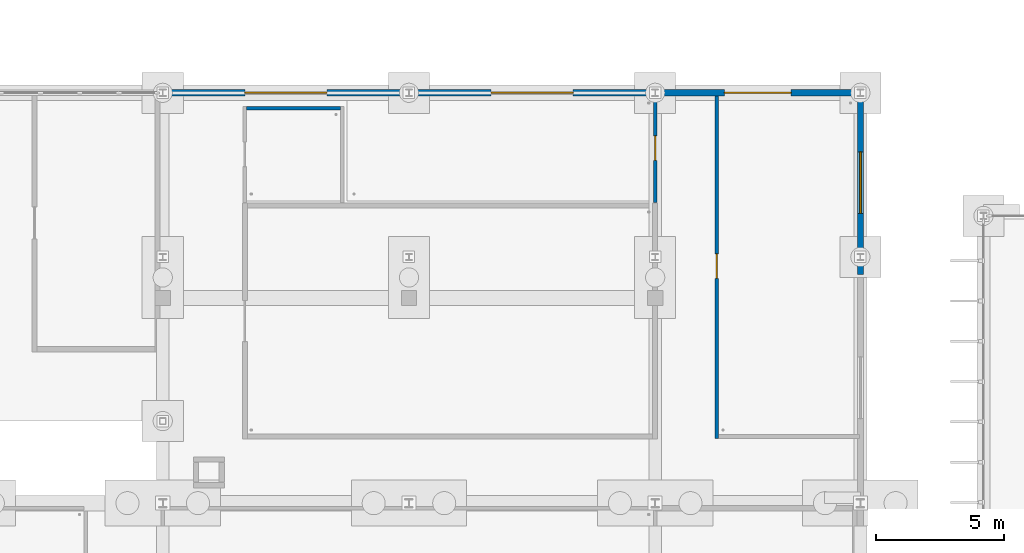
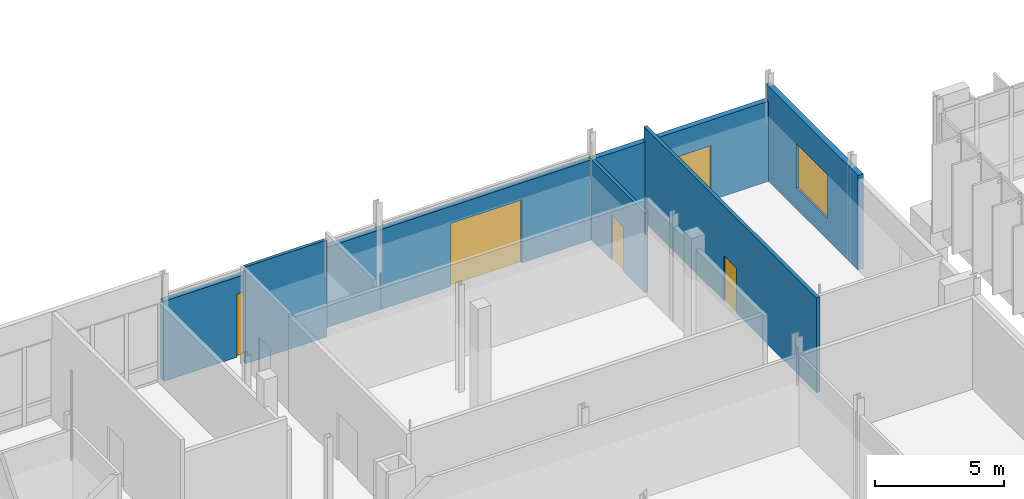
# One storey, part 63 of 111: 7 walls, 5 doors, 1 window, 6 openings.
"""IFC4 building model written with IfcOpenShell, lengths in metres."""

from ifc_helpers import new_model, si_unit, direction, frame, frame_2d, origin, place, context, subcontext, project, spatial, rectangle, extrude, material, layer, layer_set, type_object, element, fill, save


model = new_model("IFC4")

# Units and contexts
model_context = context("Model", 3, precision=1e-05, world=origin(), true_north=direction((0.0, 1.0)))
body_context = subcontext(model_context, "Body", "Model", "MODEL_VIEW")
ifc_project = project(units=[si_unit("LENGTHUNIT", "METRE"), si_unit("AREAUNIT", "SQUARE_METRE"), si_unit("VOLUMEUNIT", "CUBIC_METRE"), si_unit("PLANEANGLEUNIT", "RADIAN"), si_unit("MASSUNIT", "GRAM", prefix="KILO")], contexts=[model_context])

# Site, building, storey
site_placement = place(None, origin())
site = spatial("IfcSite", under=ifc_project, at=site_placement, CompositionType="ELEMENT")
building_placement = place(site_placement, origin())
building = spatial("IfcBuilding", under=site, at=building_placement, Name="Dunescarp Central Library", CompositionType="ELEMENT")
storey_placement = place(building_placement, origin())
storey = spatial("IfcBuildingStorey", under=building, at=storey_placement, Name="L00", CompositionType="ELEMENT", Elevation=0.0)

# Wall, opening, door
ifc_material_1 = material(Name="Gypsum plasterboard acoustic partition")
ifc_layer_1 = layer(ifc_material_1, 0.14990234375)
ifc_layer_set_1 = layer_set([ifc_layer_1], Name="Gypsum plasterboard acoustic partition")
wall_type_1 = type_object("IfcWallType", Name="ARC-PT-AC150", PredefinedType="PARTITIONING", material=ifc_layer_set_1)
wall_1_placement = place(storey_placement, frame((116.800048828125, 45.324951171875, 0.0), z_axis=(0.0, 0.0, 1.0), x_axis=(0.0, 1.0, 0.0)))
wall_1 = element("IfcWall", 1, at=wall_1_placement, inside=storey, type_object=wall_type_1, Name="L00 partition PT-L00-0315", PredefinedType="PARTITIONING", context=body_context, shape_type="SweptSolid", body=[
    extrude(rectangle(XDim=4.235107421875, YDim=0.14990234375, at=frame_2d((2.11767578125, 0.0))), origin(), (0.0, 0.0, 1.0), 3.804931640625),
])
opening_1_placement = place(wall_1_placement, frame((1.64208984375, 0.0, 0.0)))
opening_1 = element("IfcOpeningElement", 2, at=opening_1_placement, cuts=wall_1, Name="Opening DR-L00-0134", PredefinedType="OPENING", context=body_context, shape_type="SweptSolid", body=[
    extrude(rectangle(XDim=0.949951171875, YDim=2.14990234375, at=frame_2d((0.47509765625, 1.074951171875))), frame((0.0, 0.0849609375, 0.0), z_axis=(0.0, -1.0, 0.0), x_axis=(1.0, 0.0, 0.0)), (0.0, 0.0, 1.0), 0.169921875),
])
ifc_material_2 = material(Name="Hardwood solid-core timber leaf", Category="wood")
door_type_1 = type_object("IfcDoorType", Name="ARC-DR-INT950", OperationType="NOTDEFINED", PredefinedType="DOOR", material=ifc_material_2)
door_1_placement = place(opening_1_placement, origin())
door_1 = element("IfcDoor", 3, at=door_1_placement, inside=storey, type_object=door_type_1, Name="L00 interior door DR-L00-0134", OperationType="SINGLE_SWING_RIGHT", OverallHeight=2.14990234375, OverallWidth=0.949951171875, PredefinedType="DOOR", context=body_context, shape_type="SweptSolid", body=[
    extrude(rectangle(XDim=0.949951171875, YDim=2.14990234375, at=frame_2d((0.47509765625, 1.074951171875))), frame((0.0, 0.02490234375, 0.0), z_axis=(0.0, -1.0, 0.0), x_axis=(1.0, 0.0, 0.0)), (0.0, 0.0, 1.0), 0.050048828125),
])
fill(opening_1, door_1)

wall_2_placement = place(storey_placement, frame((119.199951171875, 36.125, 0.0), z_axis=(0.0, 0.0, 1.0), x_axis=(0.0, 1.0, 0.0)))
wall_2 = element("IfcWall", 4, at=wall_2_placement, inside=storey, type_object=wall_type_1, Name="L00 partition PT-L00-0317", PredefinedType="PARTITIONING", context=body_context, shape_type="SweptSolid", body=[
    extrude(rectangle(XDim=13.43505859375, YDim=0.14990234375, at=frame_2d((6.717529296875, 0.0))), origin(), (0.0, 0.0, 1.0), 4.5),
])
opening_2_placement = place(wall_2_placement, frame((6.242919921875, 0.0, 0.0)))
opening_2 = element("IfcOpeningElement", 5, at=opening_2_placement, cuts=wall_2, Name="Opening DR-L00-0135", PredefinedType="OPENING", context=body_context, shape_type="SweptSolid", body=[
    extrude(rectangle(XDim=0.949951171875, YDim=2.14990234375, at=frame_2d((0.47509765625, 1.074951171875))), frame((0.0, 0.0849609375, 0.0), z_axis=(0.0, -1.0, 0.0), x_axis=(1.0, 0.0, 0.0)), (0.0, 0.0, 1.0), 0.169921875),
])
door_2_placement = place(opening_2_placement, origin())
door_2 = element("IfcDoor", 6, at=door_2_placement, inside=storey, type_object=door_type_1, Name="L00 interior door DR-L00-0135", OperationType="SINGLE_SWING_LEFT", OverallHeight=2.14990234375, OverallWidth=0.949951171875, PredefinedType="DOOR", context=body_context, shape_type="SweptSolid", body=[
    extrude(rectangle(XDim=0.949951171875, YDim=2.14990234375, at=frame_2d((0.47509765625, 1.074951171875))), frame((0.0, 0.02490234375, 0.0), z_axis=(0.0, -1.0, 0.0), x_axis=(1.0, 0.0, 0.0)), (0.0, 0.0, 1.0), 0.050048828125),
])
fill(opening_2, door_2)

# Wall
ifc_material_3 = material(Name="Autoclaved aerated concrete block", Category="concrete")
ifc_layer_2 = layer(ifc_material_3, 0.139892578125)
ifc_layer_set_2 = layer_set([ifc_layer_2], Name="Autoclaved aerated concrete block")
wall_type_2 = type_object("IfcWallType", Name="ARC-PT-WET140", PredefinedType="PARTITIONING", material=ifc_layer_set_2)
wall_3_placement = place(storey_placement, frame((100.8701171875, 49.0, 0.0), z_axis=(0.0, 0.0, 1.0), x_axis=(1.0, 0.0, 0.0)))
element("IfcWall", 7, at=wall_3_placement, inside=storey, type_object=wall_type_2, Name="L00 partition PT-L00-0312", PredefinedType="PARTITIONING", context=body_context, shape_type="SweptSolid", body=[
    extrude(rectangle(XDim=3.659912109375, YDim=0.139892578125, at=frame_2d((1.830078125, 0.0))), origin(), (0.0, 0.0, 1.0), 4.60400390625),
])

# Wall, opening, door
ifc_material_4 = material(Name="Concrete C35/45", Category="concrete")
ifc_layer_3 = layer(ifc_material_4, 0.239990234375)
ifc_layer_set_3 = layer_set([ifc_layer_3], Name="Concrete C35/45")
wall_type_3 = type_object("IfcWallType", Name="ARC-WL-MAS240", PredefinedType="SOLIDWALL", material=ifc_layer_set_3)
wall_4_placement = place(storey_placement, frame((97.514892578125, 49.60009765625, 0.0), z_axis=(0.0, 0.0, 1.0), x_axis=(1.0, 0.0, 0.0)))
wall_4 = element("IfcWall", 8, at=wall_4_placement, inside=storey, type_object=wall_type_3, Name="L00 external wall EW-V3D-N1", PredefinedType="SOLIDWALL", context=body_context, shape_type="SweptSolid", body=[
    extrude(rectangle(XDim=9.77001953125, YDim=0.239990234375, at=frame_2d((4.885009765625, 0.0))), origin(), (0.0, 0.0, 1.0), 3.804931640625),
])
opening_3_placement = place(wall_4_placement, frame((3.284912109375, 0.0, 0.0)))
opening_3 = element("IfcOpeningElement", 9, at=opening_3_placement, cuts=wall_4, Name="Opening GT-01", PredefinedType="OPENING", context=body_context, shape_type="SweptSolid", body=[
    extrude(rectangle(XDim=3.199951171875, YDim=3.0, at=frame_2d((1.60009765625, 1.5))), frame((0.0, 0.1298828125, 0.0), z_axis=(0.0, -1.0, 0.0), x_axis=(1.0, 0.0, 0.0)), (0.0, 0.0, 1.0), 0.260009765625),
])
ifc_material_5 = material(Name="Galvanised steel S355JR", Category="steel")
door_type_2 = type_object("IfcDoorType", Name="ARC-DR-GATE3200", OperationType="ROLLINGUP", PredefinedType="GATE", material=ifc_material_5)
door_3_placement = place(opening_3_placement, origin())
door_3 = element("IfcDoor", 10, at=door_3_placement, inside=storey, type_object=door_type_2, Name="L00 external door GT-01", OperationType="ROLLINGUP", OverallHeight=3.0, OverallWidth=3.199951171875, PredefinedType="GATE", context=body_context, shape_type="SweptSolid", body=[
    extrude(rectangle(XDim=3.199951171875, YDim=3.0, at=frame_2d((1.60009765625, 1.5))), frame((0.0, 0.02490234375, 0.0), z_axis=(0.0, -1.0, 0.0), x_axis=(1.0, 0.0, 0.0)), (0.0, 0.0, 1.0), 0.050048828125),
])
fill(opening_3, door_3)

wall_5_placement = place(storey_placement, frame((107.114990234375, 49.60009765625, 0.0), z_axis=(0.0, 0.0, 1.0), x_axis=(1.0, 0.0, 0.0)))
wall_5 = element("IfcWall", 11, at=wall_5_placement, inside=storey, type_object=wall_type_3, Name="L00 external wall EW-V3D-N2", PredefinedType="SOLIDWALL", context=body_context, shape_type="SweptSolid", body=[
    extrude(rectangle(XDim=9.77001953125, YDim=0.239990234375, at=frame_2d((4.885009765625, 0.0))), origin(), (0.0, 0.0, 1.0), 3.804931640625),
])
opening_4_placement = place(wall_5_placement, frame((3.284912109375, 0.0, 0.0)))
opening_4 = element("IfcOpeningElement", 12, at=opening_4_placement, cuts=wall_5, Name="Opening GT-02", PredefinedType="OPENING", context=body_context, shape_type="SweptSolid", body=[
    extrude(rectangle(XDim=3.199951171875, YDim=3.0, at=frame_2d((1.60009765625, 1.5))), frame((0.0, 0.1298828125, 0.0), z_axis=(0.0, -1.0, 0.0), x_axis=(1.0, 0.0, 0.0)), (0.0, 0.0, 1.0), 0.260009765625),
])
door_4_placement = place(opening_4_placement, origin())
door_4 = element("IfcDoor", 13, at=door_4_placement, inside=storey, type_object=door_type_2, Name="L00 external door GT-02", OperationType="ROLLINGUP", OverallHeight=3.0, OverallWidth=3.199951171875, PredefinedType="GATE", context=body_context, shape_type="SweptSolid", body=[
    extrude(rectangle(XDim=3.199951171875, YDim=3.0, at=frame_2d((1.60009765625, 1.5))), frame((0.0, 0.02490234375, 0.0), z_axis=(0.0, -1.0, 0.0), x_axis=(1.0, 0.0, 0.0)), (0.0, 0.0, 1.0), 0.050048828125),
])
fill(opening_4, door_4)

wall_6_placement = place(storey_placement, frame((116.715087890625, 49.60009765625, 0.0), z_axis=(0.0, 0.0, 1.0), x_axis=(1.0, 0.0, 0.0)))
wall_6 = element("IfcWall", 14, at=wall_6_placement, inside=storey, type_object=wall_type_3, Name="L00 external wall EW-V3D-N3", PredefinedType="SOLIDWALL", context=body_context, shape_type="SweptSolid", body=[
    extrude(rectangle(XDim=8.169921875, YDim=0.239990234375, at=frame_2d((4.0849609375, 0.0))), origin(), (0.0, 0.0, 1.0), 3.804931640625),
])
opening_5_placement = place(wall_6_placement, frame((2.784912109375, 0.0, 0.0)))
opening_5 = element("IfcOpeningElement", 15, at=opening_5_placement, cuts=wall_6, Name="Opening GT-03", PredefinedType="OPENING", context=body_context, shape_type="SweptSolid", body=[
    extrude(rectangle(XDim=2.60009765625, YDim=2.60009765625, at=frame_2d((1.300048828125, 1.300048828125))), frame((0.0, 0.1298828125, 0.0), z_axis=(0.0, -1.0, 0.0), x_axis=(1.0, 0.0, 0.0)), (0.0, 0.0, 1.0), 0.260009765625),
])
door_type_3 = type_object("IfcDoorType", Name="ARC-DR-GATE2600", OperationType="DOUBLE_DOOR_SINGLE_SWING", PredefinedType="GATE", material=ifc_material_5)
door_5_placement = place(opening_5_placement, origin())
door_5 = element("IfcDoor", 16, at=door_5_placement, inside=storey, type_object=door_type_3, Name="L00 external door GT-03", OperationType="DOUBLE_DOOR_SINGLE_SWING", OverallHeight=2.60009765625, OverallWidth=2.60009765625, PredefinedType="GATE", context=body_context, shape_type="SweptSolid", body=[
    extrude(rectangle(XDim=2.60009765625, YDim=2.60009765625, at=frame_2d((1.300048828125, 1.300048828125))), frame((0.0, 0.02490234375, 0.0), z_axis=(0.0, -1.0, 0.0), x_axis=(1.0, 0.0, 0.0)), (0.0, 0.0, 1.0), 0.050048828125),
])
fill(opening_5, door_5)

# Wall, opening, window
wall_7_placement = place(storey_placement, frame((124.800048828125, 49.68505859375, 0.0), z_axis=(0.0, 0.0, 1.0), x_axis=(0.0, -1.0, 0.0)))
wall_7 = element("IfcWall", 17, at=wall_7_placement, inside=storey, type_object=wall_type_3, Name="L00 external wall EW-V3D-E1", PredefinedType="SOLIDWALL", context=body_context, shape_type="SweptSolid", body=[
    extrude(rectangle(XDim=7.170166015625, YDim=0.239990234375, at=frame_2d((3.5849609375, 0.0))), origin(), (0.0, 0.0, 1.0), 4.5),
])
opening_6_placement = place(wall_7_placement, frame((2.385009765625, 0.0, 1.0)))
opening_6 = element("IfcOpeningElement", 18, at=opening_6_placement, cuts=wall_7, Name="Opening WN-V3D-1", PredefinedType="OPENING", context=body_context, shape_type="SweptSolid", body=[
    extrude(rectangle(XDim=2.39990234375, YDim=2.10009765625, at=frame_2d((1.199951171875, 1.050048828125))), frame((0.0, 0.1298828125, 0.0), z_axis=(0.0, -1.0, 0.0), x_axis=(1.0, 0.0, 0.0)), (0.0, 0.0, 1.0), 0.260009765625),
])
ifc_material_6 = material(Name="Solar-control laminated double glazing", Category="glass")
window_type = type_object("IfcWindowType", Name="ARC-WN-2400X2100", PartitioningType="SINGLE_PANEL", PredefinedType="WINDOW", material=ifc_material_6)
window_placement = place(opening_6_placement, origin())
window = element("IfcWindow", 19, at=window_placement, inside=storey, type_object=window_type, Name="L00 window WN-V3D-1", OverallHeight=2.10009765625, OverallWidth=2.39990234375, PartitioningType="SINGLE_PANEL", PredefinedType="WINDOW", context=body_context, shape_type="SweptSolid", body=[
    extrude(rectangle(XDim=2.39990234375, YDim=2.10009765625, at=frame_2d((1.199951171875, 1.050048828125))), frame((0.0, 0.030029296875, 0.0), z_axis=(0.0, -1.0, 0.0), x_axis=(1.0, 0.0, 0.0)), (0.0, 0.0, 1.0), 0.06005859375),
])
fill(opening_6, window)

save(model, "model.ifc")
